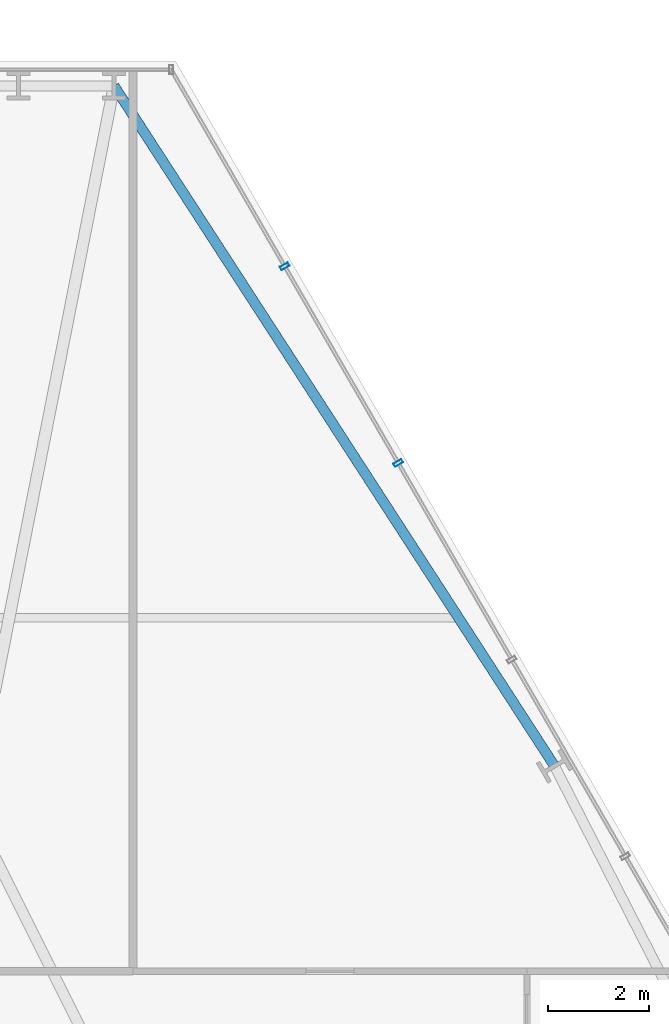
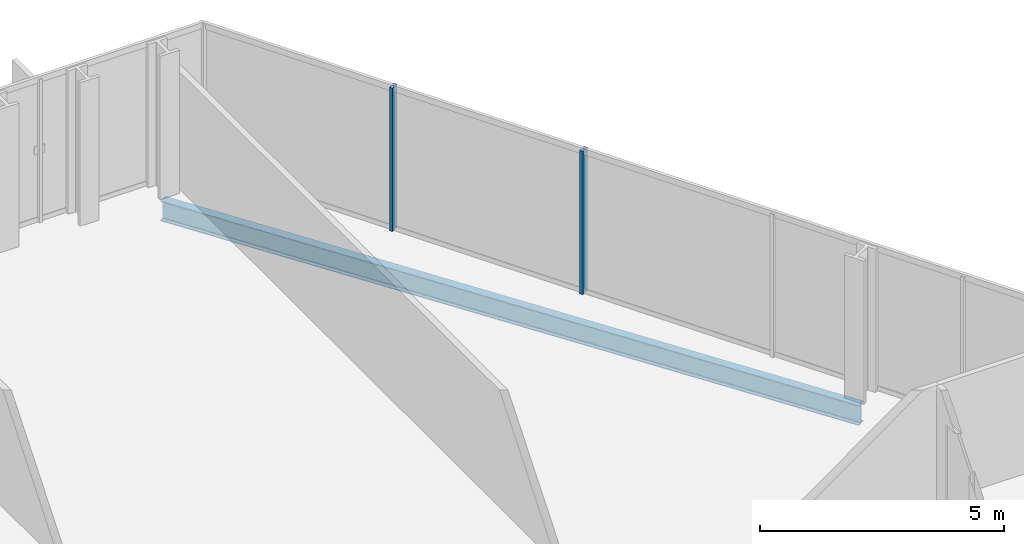
# One storey, part 24 of 32: 2 members, 1 beam, 1 element without a shape of its own.
"""IFC4 building model written with IfcOpenShell, lengths in metres."""

import ifcopenshell
import ifcopenshell.guid

model = None  # the IFC model being written
_history = None  # IfcOwnerHistory: only IFC2X3 demands one
_inside = {}  # id of a spatial element -> (the spatial element, [elements in it])
_under = {}  # id of a project, library or spatial element -> (it, [spatial elements below it])
_declared = {}  # id of a project -> (the project, [libraries it declares])
_typed = {}  # id of a type object -> (the type object, [elements of that type])
_made_of = {}  # id of a material, layer set ... -> (it, [elements and type objects made of it])


def new_model(schema):
    """Start an empty IFC model of exactly this schema.

    Asked for "IFC4X3", IfcOpenShell would pick the latest addendum, in which some entities
    have other attributes; the version numbers below select the first issue.
    IFC2X3 requires an IfcOwnerHistory on every rooted entity: one is made here for all.
    """
    global model, _history
    if schema == "IFC4X3":
        model = ifcopenshell.file(schema_version=(4, 3, 0, 0))
    else:
        model = ifcopenshell.file(schema=schema)
    _inside.clear()
    _under.clear()
    _declared.clear()
    _typed.clear()
    _made_of.clear()
    _history = None
    if model.schema == "IFC2X3":
        org = make("IfcOrganization", Name="unknown")
        user = make(
            "IfcPersonAndOrganization",
            ThePerson=make("IfcPerson", FamilyName="unknown"),
            TheOrganization=org,
        )
        app = make(
            "IfcApplication",
            ApplicationDeveloper=org,
            Version="unknown",
            ApplicationFullName="unknown",
            ApplicationIdentifier="unknown",
        )
        _history = make(
            "IfcOwnerHistory",
            OwningUser=user,
            OwningApplication=app,
            ChangeAction="ADDED",
            CreationDate=0,
        )
    return model


def make(cls, **values):
    """One entity of the class cls with the attributes given. An attribute that is None is left unset."""
    return model.create_entity(
        cls, **{name: value for name, value in values.items() if value is not None}
    )


def rooted(cls, **values):
    """An entity with a GlobalId (a new one), such as an element, a storey or a relation."""
    return make(cls, GlobalId=ifcopenshell.guid.new(), OwnerHistory=_history, **values)


def si_unit(unit_type, name, prefix=None):
    """IfcSIUnit, for example si_unit("LENGTHUNIT", "METRE", prefix="MILLI")."""
    return make("IfcSIUnit", UnitType=unit_type, Prefix=prefix, Name=name)


def assignment(units):
    """IfcUnitAssignment: the units of a project."""
    return None if units is None else make("IfcUnitAssignment", Units=units)


def point(xyz):
    """IfcCartesianPoint."""
    return None if xyz is None else make("IfcCartesianPoint", Coordinates=xyz)


def direction(xyz):
    """IfcDirection."""
    return None if xyz is None else make("IfcDirection", DirectionRatios=xyz)


def frame(location, z_axis=None, x_axis=None):
    """IfcAxis2Placement3D, a coordinate frame: its origin and axes. An axis left out is left unset."""
    return make(
        "IfcAxis2Placement3D",
        Location=point(location),
        Axis=direction(z_axis),
        RefDirection=direction(x_axis),
    )


def frame_2d(location, x_axis=None):
    """IfcAxis2Placement2D, a coordinate frame in the plane: its origin and x axis."""
    return make(
        "IfcAxis2Placement2D", Location=point(location), RefDirection=direction(x_axis)
    )


def origin():
    """The frame at (0, 0, 0) with its axes left unset."""
    return frame((0.0, 0.0, 0.0))


def origin_2d():
    """The frame at (0, 0) in the plane with its x axis left unset."""
    return frame_2d((0.0, 0.0))


def place(relative_to, where):
    """IfcLocalPlacement: puts the frame where relative to a parent placement (None: the world)."""
    return make(
        "IfcLocalPlacement", PlacementRelTo=relative_to, RelativePlacement=where
    )


def context(
    kind, dimensions, precision=None, world=None, true_north=None, identifier=None
):
    """IfcGeometricRepresentationContext, for example the 3D "Model" context."""
    return make(
        "IfcGeometricRepresentationContext",
        ContextIdentifier=identifier,
        ContextType=kind,
        CoordinateSpaceDimension=dimensions,
        Precision=precision,
        WorldCoordinateSystem=world,
        TrueNorth=true_north,
    )


def subcontext(parent, identifier, kind, view, scale=None):
    """IfcGeometricRepresentationSubContext, for example "Body" below "Model"."""
    return make(
        "IfcGeometricRepresentationSubContext",
        ContextIdentifier=identifier,
        ContextType=kind,
        ParentContext=parent,
        TargetScale=scale,
        TargetView=view,
    )


def project(units=None, contexts=None):
    """IfcProject with its units and contexts."""
    return rooted(
        "IfcProject",
        Name="project",
        RepresentationContexts=contexts,
        UnitsInContext=assignment(units),
    )


def spatial(cls, under=None, at=None, **own):
    """A site, building, storey or space (cls), placed at a placement, below another one or the project."""
    s = rooted(cls, ObjectPlacement=at, **own)
    if under is not None:
        _under.setdefault(under.id(), (under, []))[1].append(s)
    return s


def profile(cls, at=None, kind="AREA", **sizes):
    """A parametric profile (cls). Its sizes go by their IFC names, for example OverallWidth=200.0."""
    return make(cls, ProfileType=kind, Position=at, **sizes)


def hollow_rectangle(**sizes):
    """IfcRectangleHollowProfileDef."""
    return profile("IfcRectangleHollowProfileDef", **sizes)


def i_section(**sizes):
    """IfcIShapeProfileDef."""
    return profile("IfcIShapeProfileDef", **sizes)


def extrude(swept, where, along, depth):
    """IfcExtrudedAreaSolid: the profile swept, set in the frame where, extruded along a direction by depth."""
    return make(
        "IfcExtrudedAreaSolid",
        SweptArea=swept,
        Position=where,
        ExtrudedDirection=direction(along),
        Depth=depth,
    )


def shape(context_of_items, identifier, shape_type, items):
    """IfcShapeRepresentation: the items that make up one representation, for example the "Body"."""
    return make(
        "IfcShapeRepresentation",
        ContextOfItems=context_of_items,
        RepresentationIdentifier=identifier,
        RepresentationType=shape_type,
        Items=items,
    )


def material(Name=None, Category=None):
    """IfcMaterial."""
    return make("IfcMaterial", Name=Name, Category=Category)


def layer(
    of_material, thickness, ventilated=None, Name=None, Category=None, Priority=None
):
    """IfcMaterialLayer: one layer of a wall or slab, of a material (None: an air gap)."""
    return make(
        "IfcMaterialLayer",
        Material=of_material,
        LayerThickness=thickness,
        IsVentilated=ventilated,
        Name=Name,
        Category=Category,
        Priority=Priority,
    )


def layer_set(layers, Name=None):
    """IfcMaterialLayerSet."""
    return make("IfcMaterialLayerSet", MaterialLayers=layers, LayerSetName=Name)


def material_profile(
    of_material, cross_section, Name=None, Category=None, Priority=None
):
    """IfcMaterialProfile: a cross section and its material."""
    return make(
        "IfcMaterialProfile",
        Name=Name,
        Material=of_material,
        Profile=cross_section,
        Priority=Priority,
        Category=Category,
    )


def profile_set(profiles, Name=None, composite=None):
    """IfcMaterialProfileSet."""
    return make(
        "IfcMaterialProfileSet",
        Name=Name,
        MaterialProfiles=profiles,
        CompositeProfile=composite,
    )


def made_of(thing, what):
    """Note that an element or type object is made of a material, layer set ...; save() writes the relation."""
    if what is not None:
        _made_of.setdefault(what.id(), (what, []))[1].append(thing)
    return thing


def type_object(cls, material=None, **own):
    """A type object (cls), such as IfcWallType, which elements share."""
    return made_of(rooted(cls, **own), material)


def element(
    cls,
    number,
    at=None,
    inside=None,
    cuts=None,
    type_object=None,
    material=None,
    context=None,
    identifier="Body",
    shape_type=None,
    held_by="IfcProductDefinitionShape",
    body=None,
    shapes=None,
    **own,
):
    """One element of the class cls, such as IfcWall. Its Tag is "e" and its number.

    at: its placement. inside: the storey or other place that contains it. cuts: it is an
    opening in that element (IfcRelVoidsElement). A single representation is given by context,
    identifier, shape_type and body (its items); several are given by shapes. held_by: the class
    of the entity that holds the representations. save() writes the other relations.
    """
    e = rooted(cls, Tag="e%d" % number, ObjectPlacement=at, **own)
    if body is not None:
        shapes = [shape(context, identifier, shape_type, body)]
    if shapes is not None:
        e.Representation = make(held_by, Representations=shapes)
    if inside is not None:
        _inside.setdefault(inside.id(), (inside, []))[1].append(e)
    if cuts is not None:
        rooted(
            "IfcRelVoidsElement", RelatingBuildingElement=cuts, RelatedOpeningElement=e
        )
    if type_object is not None:
        _typed.setdefault(type_object.id(), (type_object, []))[1].append(e)
    return made_of(e, material)


def aggregate(whole, parts):
    """IfcRelAggregates: a whole, such as a stair, and the parts it consists of."""
    return rooted("IfcRelAggregates", RelatingObject=whole, RelatedObjects=parts)


def save(model, path):
    """Write the relations noted so far, then the file.

    IfcRelAggregates (storeys below a building ...), IfcRelContainedInSpatialStructure (elements
    in a storey), IfcRelDefinesByType, IfcRelAssociatesMaterial and IfcRelDeclares: one each for
    every whole, place, type object, material and project.
    """
    for whole, parts in _under.values():
        aggregate(whole, parts)
    for where, things in _inside.values():
        rooted(
            "IfcRelContainedInSpatialStructure",
            RelatedElements=things,
            RelatingStructure=where,
        )
    for kind, things in _typed.values():
        rooted("IfcRelDefinesByType", RelatedObjects=things, RelatingType=kind)
    for what, things in _made_of.values():
        rooted("IfcRelAssociatesMaterial", RelatedObjects=things, RelatingMaterial=what)
    for by, libraries in _declared.values():
        rooted("IfcRelDeclares", RelatingContext=by, RelatedDefinitions=libraries)
    model.write(path)


model = new_model("IFC4")

# Units and contexts
model_context = context("Model", 3, precision=1e-05, world=origin(), true_north=direction((0.0, 1.0)))
body_context = subcontext(model_context, "Body", "Model", "MODEL_VIEW")
ifc_project = project(units=[si_unit("LENGTHUNIT", "METRE"), si_unit("AREAUNIT", "SQUARE_METRE"), si_unit("VOLUMEUNIT", "CUBIC_METRE"), si_unit("PLANEANGLEUNIT", "RADIAN"), si_unit("MASSUNIT", "GRAM", prefix="KILO")], contexts=[model_context])

# Site, building, storey
site_placement = place(None, origin())
site = spatial("IfcSite", under=ifc_project, at=site_placement, CompositionType="ELEMENT")
building_placement = place(site_placement, origin())
building = spatial("IfcBuilding", under=site, at=building_placement, Name="Ndaravel Arena Tower", CompositionType="ELEMENT")
storey_placement = place(building_placement, frame((0.0, 0.0, 62.60009765625)))
storey = spatial("IfcBuildingStorey", under=building, at=storey_placement, Name="L13", CompositionType="ELEMENT", Elevation=62.60009765625)

# Beam
ifc_material_1 = material(Name="Steel S355", Category="steel")
ifc_material_profile_1 = material_profile(ifc_material_1, i_section(OverallWidth=0.199951171875, OverallDepth=0.5, WebThickness=0.01025390625, FlangeThickness=0.01611328125, FilletRadius=0.02099609375, at=origin_2d()), Name="IPE 500")
ifc_profile_set_1 = profile_set([ifc_material_profile_1], Name="Steel S355")
beam_type = type_object("IfcBeamType", Name="BM-SPAN-IPE500", PredefinedType="SPANDREL", material=ifc_profile_set_1)
beam_placement = place(storey_placement, frame((57.346435546875, 32.060791015625, -0.47021484375), z_axis=(-0.543579319439, 0.839357804204, 0.0), x_axis=(-0.839357804204, -0.543579319439, 0.0)))
element("IfcBeam", 1, at=beam_placement, inside=storey, type_object=beam_type, Name="L13 Perimeter Spandrel Beam SP-10", PredefinedType="SPANDREL", context=body_context, shape_type="SweptSolid", body=[
    extrude(i_section(OverallWidth=0.199951171875, OverallDepth=0.5, WebThickness=0.01025390625, FlangeThickness=0.01611328125, FilletRadius=0.02099609375, at=origin_2d()), origin(), (0.0, 0.0, 1.0), 16.04443359375),
])

# Curtain wall, members
ifc_material_2 = material(Name="Aluminium", Category="aluminium")
ifc_layer = layer(ifc_material_2, 0.179931640625)
ifc_layer_set = layer_set([ifc_layer], Name="Aluminium")
curtain_wall_type = type_object("IfcCurtainWallType", Name="CW-SYS-03", PredefinedType="NOTDEFINED", material=ifc_layer_set)
curtain_wall_placement = place(storey_placement, origin())
curtain_wall = element("IfcCurtainWall", 2, at=curtain_wall_placement, inside=storey, type_object=curtain_wall_type, Name="L13 Faceted Crystal Curtain Wall CW-L13-E03", PredefinedType="NOTDEFINED")
ifc_material_3 = material(Name="Aluminium", Category="aluminium")
ifc_material_profile_2 = material_profile(ifc_material_3, hollow_rectangle(XDim=0.074951171875, YDim=0.179931640625, WallThickness=0.00390625, at=origin_2d()), Name="CW MULLION 75x180x4")
ifc_profile_set_2 = profile_set([ifc_material_profile_2], Name="Aluminium")
member_type = type_object("IfcMemberType", Name="MEM-CW-MUL180", PredefinedType="MULLION", material=ifc_profile_set_2)
member_1_placement = place(storey_placement, frame((54.251708984375, 38.06103515625, 0.0), z_axis=(0.0, 0.0, 1.0), x_axis=(-0.5, 0.866025403784, 0.0)))
member_1 = element("IfcMember", 3, at=member_1_placement, type_object=member_type, Name="CW-L13-E03 Mullion 05", PredefinedType="MULLION", context=body_context, shape_type="SweptSolid", body=[
    extrude(hollow_rectangle(XDim=0.074951171875, YDim=0.179931640625, WallThickness=0.00390625, at=origin_2d()), origin(), (0.0, 0.0, 1.0), 3.579833984375),
])
member_2_placement = place(storey_placement, frame((52.00390625, 41.95458984375, 0.0), z_axis=(0.0, 0.0, 1.0), x_axis=(-0.5, 0.866025403784, 0.0)))
member_2 = element("IfcMember", 4, at=member_2_placement, type_object=member_type, Name="CW-L13-E03 Mullion 06", PredefinedType="MULLION", context=body_context, shape_type="SweptSolid", body=[
    extrude(hollow_rectangle(XDim=0.074951171875, YDim=0.179931640625, WallThickness=0.00390625, at=origin_2d()), origin(), (0.0, 0.0, 1.0), 3.579833984375),
])
aggregate(curtain_wall, [member_1, member_2])

save(model, "model.ifc")
